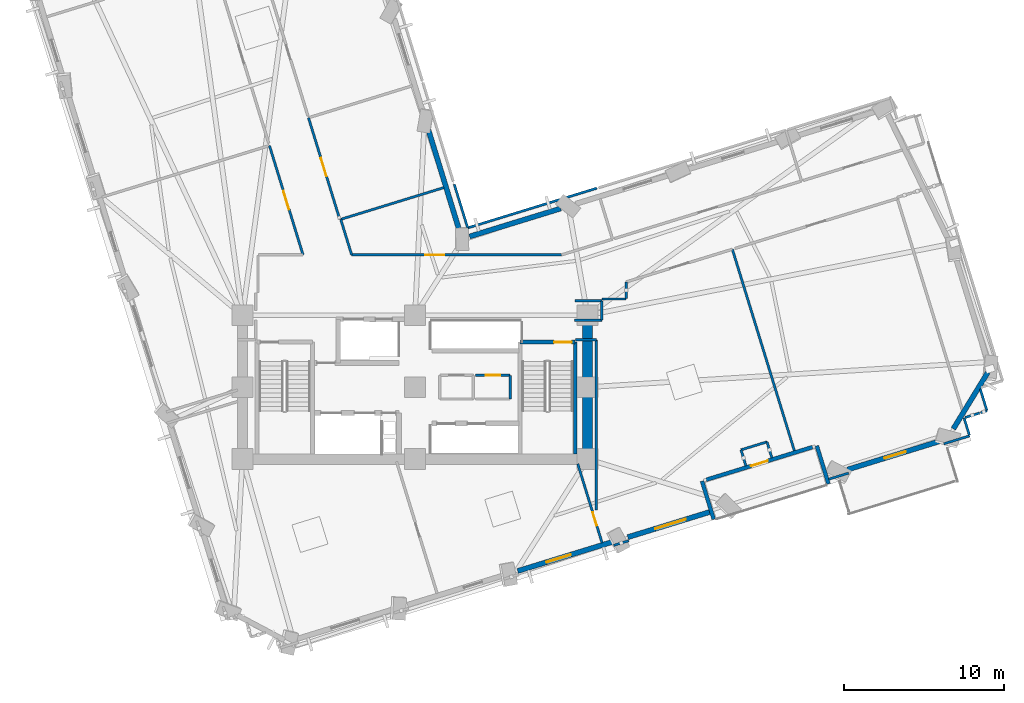
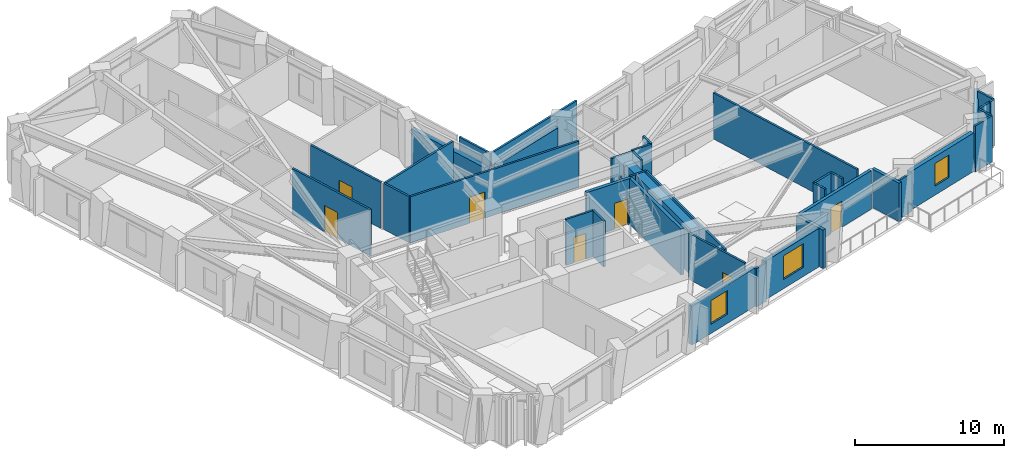
# One storey, part 8 of 14: 40 walls, 7 doors, 3 windows, 10 openings.
"""IFC4 building model written with IfcOpenShell, lengths in metres."""

from ifc_helpers import new_model, si_unit, direction, frame, frame_2d, origin, place, context, subcontext, project, spatial, rectangle, extrude, material, layer, layer_set, type_object, element, fill, save


model = new_model("IFC4")

# Units and contexts
model_context = context("Model", 3, precision=1e-05, world=origin(), true_north=direction((0.0, 1.0)))
body_context = subcontext(model_context, "Body", "Model", "MODEL_VIEW")
ifc_project = project(units=[si_unit("LENGTHUNIT", "METRE"), si_unit("AREAUNIT", "SQUARE_METRE"), si_unit("VOLUMEUNIT", "CUBIC_METRE"), si_unit("PLANEANGLEUNIT", "RADIAN"), si_unit("MASSUNIT", "GRAM", prefix="KILO")], contexts=[model_context])

# Site, building, storey
site_placement = place(None, origin())
site = spatial("IfcSite", under=ifc_project, at=site_placement, CompositionType="ELEMENT")
building_placement = place(site_placement, origin())
building = spatial("IfcBuilding", under=site, at=building_placement, Name="Gaonmaruhae Medical Tower", CompositionType="ELEMENT")
storey_placement = place(building_placement, frame((0.0, 0.0, 96.39990234375)))
storey = spatial("IfcBuildingStorey", under=building, at=storey_placement, Name="L22", CompositionType="ELEMENT", Elevation=96.39990234375)

# Wall
ifc_material_1 = material(Name="Concrete C60/75", Category="concrete")
ifc_layer_1 = layer(ifc_material_1, 0.64990234375)
ifc_layer_set_1 = layer_set([ifc_layer_1], Name="Concrete C60/75")
wall_type_1 = type_object("IfcWallType", Name="CW-650 Zone 2 Core Shear Wall", PredefinedType="SHEAR", material=ifc_layer_set_1)
wall_1_placement = place(storey_placement, frame((35.60009765625, 7.800048828125, 0.0), z_axis=(0.0, 0.0, 1.0), x_axis=(0.0, 1.0, 0.0)))
element("IfcWall", 1, at=wall_1_placement, inside=storey, type_object=wall_type_1, Name="L22 Core Shear Wall CSW-E1", PredefinedType="SHEAR", context=body_context, shape_type="SweptSolid", body=[
    extrude(rectangle(XDim=9.0, YDim=0.64990234375, at=frame_2d((4.5, 0.0))), origin(), (0.0, 0.0, 1.0), 3.780029296875),
])

# Wall, opening, door
ifc_material_2 = material(Name="Precast concrete C45/55", Category="concrete")
ifc_layer_2 = layer(ifc_material_2, 0.239990234375)
ifc_layer_set_2 = layer_set([ifc_layer_2], Name="Precast concrete C45/55")
wall_type_2 = type_object("IfcWallType", Name="EW-240 Ribbon & Shelter Insulated Precast Wall", PredefinedType="SOLIDWALL", material=ifc_layer_set_2)
wall_2_placement = place(storey_placement, frame((49.682861328125, 8.55078125, 0.0), z_axis=(0.0, 0.0, 1.0), x_axis=(-0.955788867777, -0.294053804998, 0.0)))
wall_2 = element("IfcWall", 2, at=wall_2_placement, inside=storey, type_object=wall_type_2, Name="L22 Recessed Terrace Enclosure Wall TERB", PredefinedType="SOLIDWALL", context=body_context, shape_type="SweptSolid", body=[
    extrude(rectangle(XDim=6.9599609375, YDim=0.239990234375, at=frame_2d((3.47998046875, 0.0))), origin(), (0.0, 0.0, 1.0), 3.1650390625),
])
opening_1_placement = place(wall_2_placement, frame((2.929931640625, 0.0, 0.0)))
opening_1 = element("IfcOpeningElement", 3, at=opening_1_placement, cuts=wall_2, Name="Opening TD-01", PredefinedType="OPENING", context=body_context, shape_type="SweptSolid", body=[
    extrude(rectangle(XDim=1.10009765625, YDim=2.14990234375, at=frame_2d((0.550048828125, 1.074951171875))), frame((0.0, 0.1298828125, 0.0), z_axis=(0.0, -1.0, 0.0), x_axis=(1.0, 0.0, 0.0)), (0.0, 0.0, 1.0), 0.260009765625),
])
ifc_material_3 = material(Name="Anodised aluminium and toughened safety glass", Category="aluminium")
door_type_1 = type_object("IfcDoorType", Name="TD-01 Terrace & Sky Garden Glazed Door 1100x2150", OperationType="NOTDEFINED", PredefinedType="DOOR", material=ifc_material_3)
door_1_placement = place(opening_1_placement, origin())
door_1 = element("IfcDoor", 4, at=door_1_placement, inside=storey, type_object=door_type_1, Name="L22 Outdoor Terrace Access Door SLB-L22-TER", OperationType="SINGLE_SWING_RIGHT", OverallHeight=2.14990234375, OverallWidth=1.10009765625, PredefinedType="DOOR", context=body_context, shape_type="SweptSolid", body=[
    extrude(rectangle(XDim=1.10009765625, YDim=2.14990234375, at=frame_2d((0.550048828125, 1.074951171875))), frame((0.0, 0.02490234375, 0.0), z_axis=(0.0, -1.0, 0.0), x_axis=(1.0, 0.0, 0.0)), (0.0, 0.0, 1.0), 0.050048828125),
])
fill(opening_1, door_1)

# Walls
wall_3_placement = place(storey_placement, frame((42.762939453125, 6.421875, 0.0), z_axis=(0.0, 0.0, 1.0), x_axis=(0.294051535993, -0.955789565846, 0.0)))
element("IfcWall", 5, at=wall_3_placement, inside=storey, type_object=wall_type_2, Name="L22 Recessed Terrace Enclosure Wall TERL", PredefinedType="SOLIDWALL", context=body_context, shape_type="SweptSolid", body=[
    extrude(rectangle(XDim=2.5, YDim=0.239990234375, at=frame_2d((1.25, 0.0))), origin(), (0.0, 0.0, 1.0), 3.1650390625),
])
wall_4_placement = place(storey_placement, frame((50.685791015625, 6.243408203125, 0.0), z_axis=(0.0, 0.0, 1.0), x_axis=(-0.29411329549, 0.955770563167, 0.0)))
element("IfcWall", 6, at=wall_4_placement, inside=storey, type_object=wall_type_2, Name="L22 Recessed Terrace Enclosure Wall TERR", PredefinedType="SOLIDWALL", context=body_context, shape_type="SweptSolid", body=[
    extrude(rectangle(XDim=2.500244140625, YDim=0.239990234375, at=frame_2d((1.25, 0.0))), origin(), (0.0, 0.0, 1.0), 3.1650390625),
])

# Wall, opening, window
ifc_layer_3 = layer(ifc_material_2, 0.320068359375)
ifc_layer_set_3 = layer_set([ifc_layer_3], Name="Precast concrete C45/55")
wall_type_3 = type_object("IfcWallType", Name="EW-320 Lower Precast Masonry-Frame Facade Wall", PredefinedType="SOLIDWALL", material=ifc_layer_set_3)
wall_5_placement = place(storey_placement, frame((37.168701171875, 2.618896484375, 0.0), z_axis=(0.0, 0.0, 1.0), x_axis=(-0.955784954734, -0.294066523602, 0.0)))
wall_5 = element("IfcWall", 7, at=wall_5_placement, inside=storey, type_object=wall_type_3, Name="L22 Precast Masonry-Frame Wall S03-S04", PredefinedType="SOLIDWALL", context=body_context, shape_type="SweptSolid", body=[
    extrude(rectangle(XDim=6.214111328125, YDim=0.320068359375, at=frame_2d((3.10693359375, 0.0))), origin(), (0.0, 0.0, 1.0), 3.1650390625),
])
opening_2_placement = place(wall_5_placement, frame((2.73486328125, 0.0, 0.75)))
opening_2 = element("IfcOpeningElement", 8, at=opening_2_placement, cuts=wall_5, Name="Opening WN-01", PredefinedType="OPENING", context=body_context, shape_type="SweptSolid", body=[
    extrude(rectangle(XDim=1.60009765625, YDim=1.949951171875, at=frame_2d((0.800048828125, 0.97509765625))), frame((0.0, 0.169921875, 0.0), z_axis=(0.0, -1.0, 0.0), x_axis=(1.0, 0.0, 0.0)), (0.0, 0.0, 1.0), 0.340087890625),
])
ifc_material_4 = material(Name="Anodised aluminium and Low-E double glazing", Category="aluminium")
window_type_1 = type_object("IfcWindowType", Name="WN-01 Ward Punched Acoustic Window 1600x1950", PartitioningType="SINGLE_PANEL", PredefinedType="WINDOW", material=ifc_material_4)
window_1_placement = place(opening_2_placement, origin())
window_1 = element("IfcWindow", 9, at=window_1_placement, inside=storey, type_object=window_type_1, Name="L22 Modular Facade Window S03", OverallHeight=1.949951171875, OverallWidth=1.60009765625, PartitioningType="SINGLE_PANEL", PredefinedType="WINDOW", context=body_context, shape_type="SweptSolid", body=[
    extrude(rectangle(XDim=1.60009765625, YDim=1.949951171875, at=frame_2d((0.800048828125, 0.97509765625))), frame((0.0, 0.030029296875, 0.0), z_axis=(0.0, -1.0, 0.0), x_axis=(1.0, 0.0, 0.0)), (0.0, 0.0, 1.0), 0.06005859375),
])
fill(opening_2, window_1)

wall_6_placement = place(storey_placement, frame((43.3291015625, 4.513916015625, 0.0), z_axis=(0.0, 0.0, 1.0), x_axis=(-0.955798364911, -0.294022933855, 0.0)))
wall_6 = element("IfcWall", 10, at=wall_6_placement, inside=storey, type_object=wall_type_3, Name="L22 Precast Masonry-Frame Wall S04-S05", PredefinedType="SOLIDWALL", context=body_context, shape_type="SweptSolid", body=[
    extrude(rectangle(XDim=5.45361328125, YDim=0.320068359375, at=frame_2d((2.726806640625, 0.0))), origin(), (0.0, 0.0, 1.0), 3.1650390625),
])
opening_3_placement = place(wall_6_placement, frame((1.651611328125, 0.0, 0.75)))
opening_3 = element("IfcOpeningElement", 11, at=opening_3_placement, cuts=wall_6, Name="Opening WN-02", PredefinedType="OPENING", context=body_context, shape_type="SweptSolid", body=[
    extrude(rectangle(XDim=2.0, YDim=1.949951171875, at=frame_2d((1.0, 0.97509765625))), frame((0.0, 0.169921875, 0.0), z_axis=(0.0, -1.0, 0.0), x_axis=(1.0, 0.0, 0.0)), (0.0, 0.0, 1.0), 0.340087890625),
])
window_type_2 = type_object("IfcWindowType", Name="WN-02 Double-Bed Ward Punched Window 2000x1950", PartitioningType="SINGLE_PANEL", PredefinedType="WINDOW", material=ifc_material_4)
window_2_placement = place(opening_3_placement, origin())
window_2 = element("IfcWindow", 12, at=window_2_placement, inside=storey, type_object=window_type_2, Name="L22 Modular Facade Window S04", OverallHeight=1.949951171875, OverallWidth=2.0, PartitioningType="SINGLE_PANEL", PredefinedType="WINDOW", context=body_context, shape_type="SweptSolid", body=[
    extrude(rectangle(XDim=2.0, YDim=1.949951171875, at=frame_2d((1.0, 0.97509765625))), frame((0.0, 0.030029296875, 0.0), z_axis=(0.0, -1.0, 0.0), x_axis=(1.0, 0.0, 0.0)), (0.0, 0.0, 1.0), 0.06005859375),
])
fill(opening_3, window_2)

wall_7_placement = place(storey_placement, frame((57.836669921875, 8.97705078125, 0.0), z_axis=(0.0, 0.0, 1.0), x_axis=(-0.955797610258, -0.294025387042, 0.0)))
wall_7 = element("IfcWall", 13, at=wall_7_placement, inside=storey, type_object=wall_type_3, Name="L22 Precast Masonry-Frame Wall S06-S07", PredefinedType="SOLIDWALL", context=body_context, shape_type="SweptSolid", body=[
    extrude(rectangle(XDim=6.242431640625, YDim=0.320068359375, at=frame_2d((3.12109375, 0.0))), origin(), (0.0, 0.0, 1.0), 3.1650390625),
])
opening_4_placement = place(wall_7_placement, frame((2.42529296875, 0.0, 0.75)))
opening_4 = element("IfcOpeningElement", 14, at=opening_4_placement, cuts=wall_7, Name="Opening WN-03", PredefinedType="OPENING", context=body_context, shape_type="SweptSolid", body=[
    extrude(rectangle(XDim=1.39990234375, YDim=1.85009765625, at=frame_2d((0.699951171875, 0.925048828125))), frame((0.0, 0.169921875, 0.0), z_axis=(0.0, -1.0, 0.0), x_axis=(1.0, 0.0, 0.0)), (0.0, 0.0, 1.0), 0.340087890625),
])
window_type_3 = type_object("IfcWindowType", Name="WN-03 Isolation Ward Punched Window 1400x1850", PartitioningType="SINGLE_PANEL", PredefinedType="WINDOW", material=ifc_material_4)
window_3_placement = place(opening_4_placement, origin())
window_3 = element("IfcWindow", 15, at=window_3_placement, inside=storey, type_object=window_type_3, Name="L22 Modular Facade Window S06", OverallHeight=1.85009765625, OverallWidth=1.39990234375, PartitioningType="SINGLE_PANEL", PredefinedType="WINDOW", context=body_context, shape_type="SweptSolid", body=[
    extrude(rectangle(XDim=1.39990234375, YDim=1.85009765625, at=frame_2d((0.699951171875, 0.925048828125))), frame((0.0, 0.030029296875, 0.0), z_axis=(0.0, -1.0, 0.0), x_axis=(1.0, 0.0, 0.0)), (0.0, 0.0, 1.0), 0.06005859375),
])
fill(opening_4, window_3)

# Walls
wall_8_placement = place(storey_placement, frame((60.6591796875, 13.22705078125, 0.0), z_axis=(0.0, 0.0, 1.0), x_axis=(-0.521821602539, -0.85305463783, 0.0)))
element("IfcWall", 16, at=wall_8_placement, inside=storey, type_object=wall_type_3, Name="L22 Precast Masonry-Frame Wall S07-E01", PredefinedType="SOLIDWALL", context=body_context, shape_type="SweptSolid", body=[
    extrude(rectangle(XDim=4.145263671875, YDim=0.320068359375, at=frame_2d((2.07275390625, 0.0))), origin(), (0.0, 0.0, 1.0), 3.1650390625),
])
wall_9_placement = place(storey_placement, frame((28.218994140625, 21.732177734375, 0.0), z_axis=(0.0, 0.0, 1.0), x_axis=(0.955798491071, 0.294022523738, 0.0)))
element("IfcWall", 17, at=wall_9_placement, inside=storey, type_object=wall_type_3, Name="L22 Precast Masonry-Frame Wall EN03-KN01", PredefinedType="SOLIDWALL", context=body_context, shape_type="SweptSolid", body=[
    extrude(rectangle(XDim=5.960205078125, YDim=0.320068359375, at=frame_2d((2.97998046875, 0.0))), origin(), (0.0, 0.0, 1.0), 3.1650390625),
])
wall_10_placement = place(storey_placement, frame((25.618896484375, 28.46728515625, 0.0), z_axis=(0.0, 0.0, 1.0), x_axis=(0.294050319043, -0.955789940244, 0.0)))
element("IfcWall", 18, at=wall_10_placement, inside=storey, type_object=wall_type_3, Name="L22 Precast Masonry-Frame Wall KN01-NE01", PredefinedType="SOLIDWALL", context=body_context, shape_type="SweptSolid", body=[
    extrude(rectangle(XDim=6.760009765625, YDim=0.320068359375, at=frame_2d((3.3798828125, 0.0))), origin(), (0.0, 0.0, 1.0), 2.965087890625),
])

# Wall, opening, door
ifc_material_5 = material(Name="Gypsum board partition", Category="gypsum")
ifc_layer_4 = layer(ifc_material_5, 0.14990234375)
ifc_layer_set_4 = layer_set([ifc_layer_4], Name="Gypsum board partition")
wall_type_4 = type_object("IfcWallType", Name="PW-150 Rated Clinical Corridor Partition", PredefinedType="PARTITIONING", material=ifc_layer_set_4)
wall_11_placement = place(storey_placement, frame((28.60009765625, 13.0400390625, 0.0), z_axis=(0.0, 0.0, 1.0), x_axis=(1.0, 0.0, 0.0)))
wall_11 = element("IfcWall", 19, at=wall_11_placement, inside=storey, type_object=wall_type_4, Name="L22 Interior Partition L22-CS2-5", PredefinedType="PARTITIONING", context=body_context, shape_type="SweptSolid", body=[
    extrude(rectangle(XDim=2.14990234375, YDim=0.14990234375, at=frame_2d((1.074951171875, 0.0))), origin(), (0.0, 0.0, 1.0), 3.780029296875),
])
opening_5_placement = place(wall_11_placement, frame((0.614990234375, 0.0, 0.0)))
opening_5 = element("IfcOpeningElement", 20, at=opening_5_placement, cuts=wall_11, Name="Opening UD-01", PredefinedType="OPENING", context=body_context, shape_type="SweptSolid", body=[
    extrude(rectangle(XDim=0.919921875, YDim=2.10009765625, at=frame_2d((0.4599609375, 1.050048828125))), frame((0.0, 0.0849609375, 0.0), z_axis=(0.0, -1.0, 0.0), x_axis=(1.0, 0.0, 0.0)), (0.0, 0.0, 1.0), 0.169921875),
])
ifc_material_6 = material(Name="Powder-coated steel utility door", Category="steel")
door_type_2 = type_object("IfcDoorType", Name="UD-01 Toilet, Utility & Housekeeping Door 920x2100", OperationType="NOTDEFINED", PredefinedType="DOOR", material=ifc_material_6)
door_2_placement = place(opening_5_placement, origin())
door_2 = element("IfcDoor", 21, at=door_2_placement, inside=storey, type_object=door_type_2, Name="L22 Biomedical Telemetry Closet Door", OperationType="SINGLE_SWING_LEFT", OverallHeight=2.10009765625, OverallWidth=0.919921875, PredefinedType="DOOR", context=body_context, shape_type="SweptSolid", body=[
    extrude(rectangle(XDim=0.919921875, YDim=2.10009765625, at=frame_2d((0.4599609375, 1.050048828125))), frame((0.0, 0.02490234375, 0.0), z_axis=(0.0, -1.0, 0.0), x_axis=(1.0, 0.0, 0.0)), (0.0, 0.0, 1.0), 0.050048828125),
])
fill(opening_5, door_2)

# Wall
wall_12_placement = place(storey_placement, frame((30.75, 13.0400390625, 0.0), z_axis=(0.0, 0.0, 1.0), x_axis=(0.0, -1.0, 0.0)))
element("IfcWall", 22, at=wall_12_placement, inside=storey, type_object=wall_type_4, Name="L22 Interior Partition L22-CS2-6", PredefinedType="PARTITIONING", context=body_context, shape_type="SweptSolid", body=[
    extrude(rectangle(XDim=1.47998046875, YDim=0.14990234375, at=frame_2d((0.739990234375, 0.0))), origin(), (0.0, 0.0, 1.0), 3.780029296875),
])

# Wall, opening, door
wall_13_placement = place(storey_placement, frame((34.988037109375, 7.5, 0.0), z_axis=(0.0, 0.0, 1.0), x_axis=(0.294092483167, -0.955776967365, 0.0)))
wall_13 = element("IfcWall", 23, at=wall_13_placement, inside=storey, type_object=wall_type_4, Name="L22 Interior Partition L22-SUP02-19", PredefinedType="PARTITIONING", context=body_context, shape_type="SweptSolid", body=[
    extrude(rectangle(XDim=5.171875, YDim=0.14990234375, at=frame_2d((2.5859375, 0.0))), origin(), (0.0, 0.0, 1.0), 3.780029296875),
])
opening_6_placement = place(wall_13_placement, frame((3.168701171875, 0.0, 0.0)))
opening_6 = element("IfcOpeningElement", 24, at=opening_6_placement, cuts=wall_13, Name="Opening AD-01", PredefinedType="OPENING", context=body_context, shape_type="SweptSolid", body=[
    extrude(rectangle(XDim=0.860107421875, YDim=2.06005859375, at=frame_2d((0.43017578125, 1.030029296875))), frame((0.0, 0.0849609375, 0.0), z_axis=(0.0, -1.0, 0.0), x_axis=(1.0, 0.0, 0.0)), (0.0, 0.0, 1.0), 0.169921875),
])
ifc_material_7 = material(Name="Powder-coated steel access door", Category="steel")
door_type_3 = type_object("IfcDoorType", Name="AD-01 Riser & Closet Access Fire Door 860x2060", OperationType="NOTDEFINED", PredefinedType="DOOR", material=ifc_material_7)
door_3_placement = place(opening_6_placement, origin())
door_3 = element("IfcDoor", 25, at=door_3_placement, inside=storey, type_object=door_type_3, Name="L22 Clinical Biomedical Charting Office Sliding Door", OperationType="SLIDING_TO_LEFT", OverallHeight=2.06005859375, OverallWidth=0.860107421875, PredefinedType="DOOR", context=body_context, shape_type="SweptSolid", body=[
    extrude(rectangle(XDim=0.860107421875, YDim=2.06005859375, at=frame_2d((0.43017578125, 1.030029296875))), frame((0.0, 0.02490234375, 0.0), z_axis=(0.0, -1.0, 0.0), x_axis=(1.0, 0.0, 0.0)), (0.0, 0.0, 1.0), 0.050048828125),
])
fill(opening_6, door_3)

# Walls
wall_14_placement = place(storey_placement, frame((36.14990234375, 4.60791015625, 0.0), z_axis=(0.0, 0.0, 1.0), x_axis=(0.0, 1.0, 0.0)))
element("IfcWall", 26, at=wall_14_placement, inside=storey, type_object=wall_type_4, Name="L22 Interior Partition L22-SUP03-20", PredefinedType="PARTITIONING", context=body_context, shape_type="SweptSolid", body=[
    extrude(rectangle(XDim=10.652099609375, YDim=0.14990234375, at=frame_2d((5.326171875, 0.0))), origin(), (0.0, 0.0, 1.0), 3.780029296875),
])
wall_15_placement = place(storey_placement, frame((36.14990234375, 15.260009765625, 0.0), z_axis=(0.0, 0.0, 1.0), x_axis=(-1.0, 0.0, 0.0)))
element("IfcWall", 27, at=wall_15_placement, inside=storey, type_object=wall_type_4, Name="L22 Interior Partition L22-SUP03-21", PredefinedType="PARTITIONING", context=body_context, shape_type="SweptSolid", body=[
    extrude(rectangle(XDim=1.2998046875, YDim=0.14990234375, at=frame_2d((0.64990234375, 0.0))), origin(), (0.0, 0.0, 1.0), 3.780029296875),
])
wall_16_placement = place(storey_placement, frame((34.777099609375, 16.5, 0.0), z_axis=(0.0, 0.0, 1.0), x_axis=(1.0, 0.0, 0.0)))
element("IfcWall", 28, at=wall_16_placement, inside=storey, type_object=wall_type_4, Name="L22 Interior Partition L22-SUP03-22", PredefinedType="PARTITIONING", context=body_context, shape_type="SweptSolid", body=[
    extrude(rectangle(XDim=1.722900390625, YDim=0.14990234375, at=frame_2d((0.861328125, 0.0))), origin(), (0.0, 0.0, 1.0), 2.965087890625),
])
wall_17_placement = place(storey_placement, frame((36.5, 16.5, 0.0), z_axis=(0.0, 0.0, 1.0), x_axis=(0.0, 1.0, 0.0)))
element("IfcWall", 29, at=wall_17_placement, inside=storey, type_object=wall_type_4, Name="L22 Interior Partition L22-SUP03-23", PredefinedType="PARTITIONING", context=body_context, shape_type="SweptSolid", body=[
    extrude(rectangle(XDim=1.199951171875, YDim=0.14990234375, at=frame_2d((0.60009765625, 0.0))), origin(), (0.0, 0.0, 1.0), 3.780029296875),
])
wall_18_placement = place(storey_placement, frame((36.5, 17.699951171875, 0.0), z_axis=(0.0, 0.0, 1.0), x_axis=(-1.0, 0.0, 0.0)))
element("IfcWall", 30, at=wall_18_placement, inside=storey, type_object=wall_type_4, Name="L22 Interior Partition L22-SUP03-24", PredefinedType="PARTITIONING", context=body_context, shape_type="SweptSolid", body=[
    extrude(rectangle(XDim=1.669921875, YDim=0.14990234375, at=frame_2d((0.8349609375, 0.0))), origin(), (0.0, 0.0, 1.0), 3.780029296875),
])
wall_19_placement = place(storey_placement, frame((36.5, 17.821044921875, 0.0), z_axis=(0.0, 0.0, 1.0), x_axis=(1.0, 0.0, 0.0)))
element("IfcWall", 31, at=wall_19_placement, inside=storey, type_object=wall_type_4, Name="L22 Interior Partition L22-SUP03-25", PredefinedType="PARTITIONING", context=body_context, shape_type="SweptSolid", body=[
    extrude(rectangle(XDim=1.509033203125, YDim=0.14990234375, at=frame_2d((0.75439453125, 0.0))), origin(), (0.0, 0.0, 1.0), 3.780029296875),
])
wall_20_placement = place(storey_placement, frame((38.030029296875, 17.85009765625, 0.0), z_axis=(0.0, 0.0, 1.0), x_axis=(0.0, 1.0, 0.0)))
element("IfcWall", 32, at=wall_20_placement, inside=storey, type_object=wall_type_4, Name="L22 Interior Partition L22-SUP03-26", PredefinedType="PARTITIONING", context=body_context, shape_type="SweptSolid", body=[
    extrude(rectangle(XDim=1.041015625, YDim=0.14990234375, at=frame_2d((0.5205078125, 0.0))), origin(), (0.0, 0.0, 1.0), 3.780029296875),
])
wall_21_placement = place(storey_placement, frame((44.666015625, 20.93310546875, 0.0), z_axis=(0.0, 0.0, 1.0), x_axis=(0.294050797953, -0.955789792906, 0.0)))
element("IfcWall", 33, at=wall_21_placement, inside=storey, type_object=wall_type_4, Name="L22 Interior Partition L22-SUP03-28", PredefinedType="PARTITIONING", context=body_context, shape_type="SweptSolid", body=[
    extrude(rectangle(XDim=13.21533203125, YDim=0.14990234375, at=frame_2d((6.607666015625, 0.0))), origin(), (0.0, 0.0, 1.0), 3.780029296875),
])
wall_22_placement = place(storey_placement, frame((47.14111328125, 7.867919921875, 0.0), z_axis=(0.0, 0.0, 1.0), x_axis=(-0.293728278621, 0.955888957117, 0.0)))
element("IfcWall", 34, at=wall_22_placement, inside=storey, type_object=wall_type_4, Name="L22 Interior Partition L22-SUP03-29", PredefinedType="PARTITIONING", context=body_context, shape_type="SweptSolid", body=[
    extrude(rectangle(XDim=1.0556640625, YDim=0.14990234375, at=frame_2d((0.52783203125, 0.0))), origin(), (0.0, 0.0, 1.0), 3.780029296875),
])
wall_23_placement = place(storey_placement, frame((46.8310546875, 8.876953125, 0.0), z_axis=(0.0, 0.0, 1.0), x_axis=(-0.955779008722, -0.294085848838, 0.0)))
element("IfcWall", 35, at=wall_23_placement, inside=storey, type_object=wall_type_4, Name="L22 Interior Partition L22-SUP03-30", PredefinedType="PARTITIONING", context=body_context, shape_type="SweptSolid", body=[
    extrude(rectangle(XDim=1.7001953125, YDim=0.14990234375, at=frame_2d((0.85009765625, 0.0))), origin(), (0.0, 0.0, 1.0), 3.780029296875),
])
wall_24_placement = place(storey_placement, frame((45.2060546875, 8.376953125, 0.0), z_axis=(0.0, 0.0, 1.0), x_axis=(0.293728278621, -0.955888957117, 0.0)))
element("IfcWall", 36, at=wall_24_placement, inside=storey, type_object=wall_type_4, Name="L22 Interior Partition L22-SUP03-31", PredefinedType="PARTITIONING", context=body_context, shape_type="SweptSolid", body=[
    extrude(rectangle(XDim=1.0556640625, YDim=0.14990234375, at=frame_2d((0.52783203125, 0.0))), origin(), (0.0, 0.0, 1.0), 3.780029296875),
])
wall_25_placement = place(storey_placement, frame((38.18408203125, 2.68994140625, 0.0), z_axis=(0.0, 0.0, 1.0), x_axis=(-0.95597043772, -0.293462982684, 0.0)))
element("IfcWall", 37, at=wall_25_placement, inside=storey, type_object=wall_type_4, Name="L22 Interior Partition L22-SUP03-32", PredefinedType="PARTITIONING", context=body_context, shape_type="SweptSolid", body=[
    extrude(rectangle(XDim=0.99169921875, YDim=0.14990234375, at=frame_2d((0.495849609375, 0.0))), origin(), (0.0, 0.0, 1.0), 3.1650390625),
])
wall_26_placement = place(storey_placement, frame((59.51708984375, 9.2529296875, 0.0), z_axis=(0.0, 0.0, 1.0), x_axis=(-0.95585717677, -0.293831682461, 0.0)))
element("IfcWall", 38, at=wall_26_placement, inside=storey, type_object=wall_type_4, Name="L22 Interior Partition L22-SUP04-33", PredefinedType="PARTITIONING", context=body_context, shape_type="SweptSolid", body=[
    extrude(rectangle(XDim=1.6875, YDim=0.14990234375, at=frame_2d((0.84375, 0.0))), origin(), (0.0, 0.0, 1.0), 3.780029296875),
])
wall_27_placement = place(storey_placement, frame((51.93798828125, 6.922119140625, 0.0), z_axis=(0.0, 0.0, 1.0), x_axis=(-0.955710034856, -0.294309920449, 0.0)))
element("IfcWall", 39, at=wall_27_placement, inside=storey, type_object=wall_type_4, Name="L22 Interior Partition L22-SUP04-34", PredefinedType="PARTITIONING", context=body_context, shape_type="SweptSolid", body=[
    extrude(rectangle(XDim=1.301513671875, YDim=0.14990234375, at=frame_2d((0.65087890625, 0.0))), origin(), (0.0, 0.0, 1.0), 3.1650390625),
])
wall_28_placement = place(storey_placement, frame((59.169921875, 10.381103515625, 0.0), z_axis=(0.0, 0.0, 1.0), x_axis=(0.293842916737, -0.955853723267, 0.0)))
element("IfcWall", 40, at=wall_28_placement, inside=storey, type_object=wall_type_4, Name="L22 Interior Partition L22-SUP04-37", PredefinedType="PARTITIONING", context=body_context, shape_type="SweptSolid", body=[
    extrude(rectangle(XDim=1.1298828125, YDim=0.14990234375, at=frame_2d((0.56494140625, 0.0))), origin(), (0.0, 0.0, 1.0), 3.780029296875),
])

# Wall, opening, door
wall_29_placement = place(storey_placement, frame((15.68701171875, 27.424072265625, 0.0), z_axis=(0.0, 0.0, 1.0), x_axis=(0.293975633895, -0.955812914056, 0.0)))
wall_29 = element("IfcWall", 41, at=wall_29_placement, inside=storey, type_object=wall_type_4, Name="L22 Interior Partition L22-WOF05-45", PredefinedType="PARTITIONING", context=body_context, shape_type="SweptSolid", body=[
    extrude(rectangle(XDim=7.160400390625, YDim=0.14990234375, at=frame_2d((3.580078125, 0.0))), origin(), (0.0, 0.0, 1.0), 3.780029296875),
])
opening_7_placement = place(wall_29_placement, frame((2.980224609375, 0.0, 0.0)))
opening_7 = element("IfcOpeningElement", 42, at=opening_7_placement, cuts=wall_29, Name="Opening CD-02", PredefinedType="OPENING", context=body_context, shape_type="SweptSolid", body=[
    extrude(rectangle(XDim=1.199951171875, YDim=2.14990234375, at=frame_2d((0.60009765625, 1.074951171875))), frame((0.0, 0.0849609375, 0.0), z_axis=(0.0, -1.0, 0.0), x_axis=(1.0, 0.0, 0.0)), (0.0, 0.0, 1.0), 0.169921875),
])
ifc_material_8 = material(Name="Antimicrobial laminate timber fire door", Category="wood")
door_type_4 = type_object("IfcDoorType", Name="CD-02 Clinical Treatment & Procedure Door 1200x2150", OperationType="NOTDEFINED", PredefinedType="DOOR", material=ifc_material_8)
door_4_placement = place(opening_7_placement, origin())
door_4 = element("IfcDoor", 43, at=door_4_placement, inside=storey, type_object=door_type_4, Name="L22 Ward Physician Reporting Office Door", OperationType="SINGLE_SWING_RIGHT", OverallHeight=2.14990234375, OverallWidth=1.199951171875, PredefinedType="DOOR", context=body_context, shape_type="SweptSolid", body=[
    extrude(rectangle(XDim=1.199951171875, YDim=2.14990234375, at=frame_2d((0.60009765625, 1.074951171875))), frame((0.0, 0.02490234375, 0.0), z_axis=(0.0, -1.0, 0.0), x_axis=(1.0, 0.0, 0.0)), (0.0, 0.0, 1.0), 0.050048828125),
])
fill(opening_7, door_4)

wall_30_placement = place(storey_placement, frame((33.9619140625, 20.580078125, 0.0), z_axis=(0.0, 0.0, 1.0), x_axis=(-1.0, 0.0, 0.0)))
wall_30 = element("IfcWall", 44, at=wall_30_placement, inside=storey, type_object=wall_type_4, Name="L22 Interior Partition L22-IE01-61", PredefinedType="PARTITIONING", context=body_context, shape_type="SweptSolid", body=[
    extrude(rectangle(XDim=13.125, YDim=0.14990234375, at=frame_2d((6.5625, 0.0))), origin(), (0.0, 0.0, 1.0), 3.780029296875),
])
opening_8_placement = place(wall_30_placement, frame((7.326416015625, 0.0, 0.0)))
opening_8 = element("IfcOpeningElement", 45, at=opening_8_placement, cuts=wall_30, Name="Opening CD-02", PredefinedType="OPENING", context=body_context, shape_type="SweptSolid", body=[
    extrude(rectangle(XDim=1.199951171875, YDim=2.14990234375, at=frame_2d((0.60009765625, 1.074951171875))), frame((0.0, 0.0849609375, 0.0), z_axis=(0.0, -1.0, 0.0), x_axis=(1.0, 0.0, 0.0)), (0.0, 0.0, 1.0), 0.169921875),
])
door_5_placement = place(opening_8_placement, origin())
door_5 = element("IfcDoor", 46, at=door_5_placement, inside=storey, type_object=door_type_4, Name="L22 Central Clinical Nurse Station Door", OperationType="SINGLE_SWING_RIGHT", OverallHeight=2.14990234375, OverallWidth=1.199951171875, PredefinedType="DOOR", context=body_context, shape_type="SweptSolid", body=[
    extrude(rectangle(XDim=1.199951171875, YDim=2.14990234375, at=frame_2d((0.60009765625, 1.074951171875))), frame((0.0, 0.02490234375, 0.0), z_axis=(0.0, -1.0, 0.0), x_axis=(1.0, 0.0, 0.0)), (0.0, 0.0, 1.0), 0.050048828125),
])
fill(opening_8, door_5)

# Walls
wall_31_placement = place(storey_placement, frame((20.8369140625, 20.580078125, 0.0), z_axis=(0.0, 0.0, 1.0), x_axis=(-0.294424516265, 0.955674737671, 0.0)))
element("IfcWall", 47, at=wall_31_placement, inside=storey, type_object=wall_type_4, Name="L22 Interior Partition L22-IE01-62", PredefinedType="PARTITIONING", context=body_context, shape_type="SweptSolid", body=[
    extrude(rectangle(XDim=2.330078125, YDim=0.14990234375, at=frame_2d((1.1650390625, 0.0))), origin(), (0.0, 0.0, 1.0), 3.780029296875),
])
wall_32_placement = place(storey_placement, frame((20.15087890625, 22.806884765625, 0.0), z_axis=(0.0, 0.0, 1.0), x_axis=(0.95576728766, 0.294123939589, 0.0)))
element("IfcWall", 48, at=wall_32_placement, inside=storey, type_object=wall_type_4, Name="L22 Interior Partition L22-IE01-63", PredefinedType="PARTITIONING", context=body_context, shape_type="SweptSolid", body=[
    extrude(rectangle(XDim=6.755859375, YDim=0.14990234375, at=frame_2d((3.3779296875, 0.0))), origin(), (0.0, 0.0, 1.0), 3.780029296875),
])
wall_33_placement = place(storey_placement, frame((27.261962890625, 24.9951171875, 0.0), z_axis=(0.0, 0.0, 1.0), x_axis=(0.294067790915, -0.955784564819, 0.0)))
element("IfcWall", 49, at=wall_33_placement, inside=storey, type_object=wall_type_4, Name="L22 Interior Partition L22-IE01-64", PredefinedType="PARTITIONING", context=body_context, shape_type="SweptSolid", body=[
    extrude(rectangle(XDim=2.85009765625, YDim=0.14990234375, at=frame_2d((1.425048828125, 0.0))), origin(), (0.0, 0.0, 1.0), 3.780029296875),
])
wall_34_placement = place(storey_placement, frame((28.10009765625, 22.27099609375, 0.0), z_axis=(0.0, 0.0, 1.0), x_axis=(0.955779632904, 0.294083820237, 0.0)))
element("IfcWall", 50, at=wall_34_placement, inside=storey, type_object=wall_type_4, Name="L22 Interior Partition L22-IE01-65", PredefinedType="PARTITIONING", context=body_context, shape_type="SweptSolid", body=[
    extrude(rectangle(XDim=8.45703125, YDim=0.14990234375, at=frame_2d((4.228515625, 0.0))), origin(), (0.0, 0.0, 1.0), 3.780029296875),
])

# Wall, opening, door
wall_35_placement = place(storey_placement, frame((20.031982421875, 22.990966796875, 0.0), z_axis=(0.0, 0.0, 1.0), x_axis=(-0.293974298693, 0.955813324718, 0.0)))
wall_35 = element("IfcWall", 51, at=wall_35_placement, inside=storey, type_object=wall_type_4, Name="L22 Interior Partition L22-IN01-75", PredefinedType="PARTITIONING", context=body_context, shape_type="SweptSolid", body=[
    extrude(rectangle(XDim=6.45947265625, YDim=0.14990234375, at=frame_2d((3.229736328125, 0.0))), origin(), (0.0, 0.0, 1.0), 3.780029296875),
])
opening_9_placement = place(wall_35_placement, frame((2.629638671875, 0.0, 0.0)))
opening_9 = element("IfcOpeningElement", 52, at=opening_9_placement, cuts=wall_35, Name="Opening CD-02", PredefinedType="OPENING", context=body_context, shape_type="SweptSolid", body=[
    extrude(rectangle(XDim=1.199951171875, YDim=2.14990234375, at=frame_2d((0.60009765625, 1.074951171875))), frame((0.0, 0.0849609375, 0.0), z_axis=(0.0, -1.0, 0.0), x_axis=(1.0, 0.0, 0.0)), (0.0, 0.0, 1.0), 0.169921875),
])
door_6_placement = place(opening_9_placement, origin())
door_6 = element("IfcDoor", 53, at=door_6_placement, inside=storey, type_object=door_type_4, Name="L22 Physician Consultation Office Door", OperationType="SINGLE_SWING_RIGHT", OverallHeight=2.14990234375, OverallWidth=1.199951171875, PredefinedType="DOOR", context=body_context, shape_type="SweptSolid", body=[
    extrude(rectangle(XDim=1.199951171875, YDim=2.14990234375, at=frame_2d((0.60009765625, 1.074951171875))), frame((0.0, 0.02490234375, 0.0), z_axis=(0.0, -1.0, 0.0), x_axis=(1.0, 0.0, 0.0)), (0.0, 0.0, 1.0), 0.050048828125),
])
fill(opening_9, door_6)

# Walls
wall_36_placement = place(storey_placement, frame((60.14501953125, 10.680908203125, 0.0), z_axis=(0.0, 0.0, 1.0), x_axis=(-0.955916327649, -0.293639191073, 0.0)))
element("IfcWall", 54, at=wall_36_placement, inside=storey, type_object=wall_type_4, Name="L22 Interior Partition L22-RM02-92", PredefinedType="PARTITIONING", context=body_context, shape_type="SweptSolid", body=[
    extrude(rectangle(XDim=0.960205078125, YDim=0.14990234375, at=frame_2d((0.47998046875, 0.0))), origin(), (0.0, 0.0, 1.0), 3.780029296875),
])
wall_37_placement = place(storey_placement, frame((60.18310546875, 12.18994140625, 0.0), z_axis=(0.0, 0.0, 1.0), x_axis=(0.294085848838, -0.955779008722, 0.0)))
element("IfcWall", 55, at=wall_37_placement, inside=storey, type_object=wall_type_4, Name="L22 Interior Partition L22-RM03-93", PredefinedType="PARTITIONING", context=body_context, shape_type="SweptSolid", body=[
    extrude(rectangle(XDim=1.43115234375, YDim=0.14990234375, at=frame_2d((0.715576171875, 0.0))), origin(), (0.0, 0.0, 1.0), 3.780029296875),
])
wall_38_placement = place(storey_placement, frame((60.60400390625, 10.822021484375, 0.0), z_axis=(0.0, 0.0, 1.0), x_axis=(-0.95622979802, -0.292616768793, 0.0)))
element("IfcWall", 56, at=wall_38_placement, inside=storey, type_object=wall_type_4, Name="L22 Interior Partition L22-RM03-94", PredefinedType="PARTITIONING", context=body_context, shape_type="SweptSolid", body=[
    extrude(rectangle(XDim=0.42041015625, YDim=0.14990234375, at=frame_2d((0.210205078125, 0.0))), origin(), (0.0, 0.0, 1.0), 3.780029296875),
])

# Wall, opening, door
ifc_material_9 = material(Name="Concrete C50/60", Category="concrete")
ifc_layer_5 = layer(ifc_material_9, 0.239990234375)
ifc_layer_set_5 = layer_set([ifc_layer_5], Name="Concrete C50/60")
wall_type_5 = type_object("IfcWallType", Name="SW-240 Dogleg Stair Tight Shaft Wall", PredefinedType="SOLIDWALL", material=ifc_layer_set_5)
wall_39_placement = place(storey_placement, frame((31.3701171875, 15.1201171875, 0.0), z_axis=(0.0, 0.0, 1.0), x_axis=(1.0, 0.0, 0.0)))
wall_39 = element("IfcWall", 57, at=wall_39_placement, inside=storey, type_object=wall_type_5, Name="L22 ST-02 Stair Shaft Wall SHW-ST-02-N", PredefinedType="SOLIDWALL", context=body_context, shape_type="SweptSolid", body=[
    extrude(rectangle(XDim=3.4599609375, YDim=0.239990234375, at=frame_2d((1.72998046875, 0.0))), origin(), (0.0, 0.0, 1.0), 3.780029296875),
])
opening_10_placement = place(wall_39_placement, frame((2.139892578125, 0.0, 0.0)))
opening_10 = element("IfcOpeningElement", 58, at=opening_10_placement, cuts=wall_39, Name="Opening FD-01", PredefinedType="OPENING", context=body_context, shape_type="SweptSolid", body=[
    extrude(rectangle(XDim=1.10009765625, YDim=2.14990234375, at=frame_2d((0.550048828125, 1.074951171875))), frame((0.0, 0.1298828125, 0.0), z_axis=(0.0, -1.0, 0.0), x_axis=(1.0, 0.0, 0.0)), (0.0, 0.0, 1.0), 0.260009765625),
])
ifc_material_10 = material(Name="Powder-coated steel fire door", Category="steel")
door_type_5 = type_object("IfcDoorType", Name="FD-01 Escape Stair Protected Fire Door 1100x2150", OperationType="NOTDEFINED", PredefinedType="DOOR", material=ifc_material_10)
door_7_placement = place(opening_10_placement, origin())
door_7 = element("IfcDoor", 59, at=door_7_placement, inside=storey, type_object=door_type_5, Name="L22 ST-02 Protected Escape Stair Door", OperationType="SINGLE_SWING_LEFT", OverallHeight=2.14990234375, OverallWidth=1.10009765625, PredefinedType="DOOR", context=body_context, shape_type="SweptSolid", body=[
    extrude(rectangle(XDim=1.10009765625, YDim=2.14990234375, at=frame_2d((0.550048828125, 1.074951171875))), frame((0.0, 0.02490234375, 0.0), z_axis=(0.0, -1.0, 0.0), x_axis=(1.0, 0.0, 0.0)), (0.0, 0.0, 1.0), 0.050048828125),
])
fill(opening_10, door_7)

# Wall
wall_40_placement = place(storey_placement, frame((34.830078125, 15.1201171875, 0.0), z_axis=(0.0, 0.0, 1.0), x_axis=(0.0, -1.0, 0.0)))
element("IfcWall", 60, at=wall_40_placement, inside=storey, type_object=wall_type_5, Name="L22 ST-02 Stair Shaft Wall SHW-ST-02-E", PredefinedType="SOLIDWALL", context=body_context, shape_type="SweptSolid", body=[
    extrude(rectangle(XDim=6.9951171875, YDim=0.239990234375, at=frame_2d((3.49755859375, 0.0))), origin(), (0.0, 0.0, 1.0), 3.780029296875),
])

save(model, "model.ifc")
